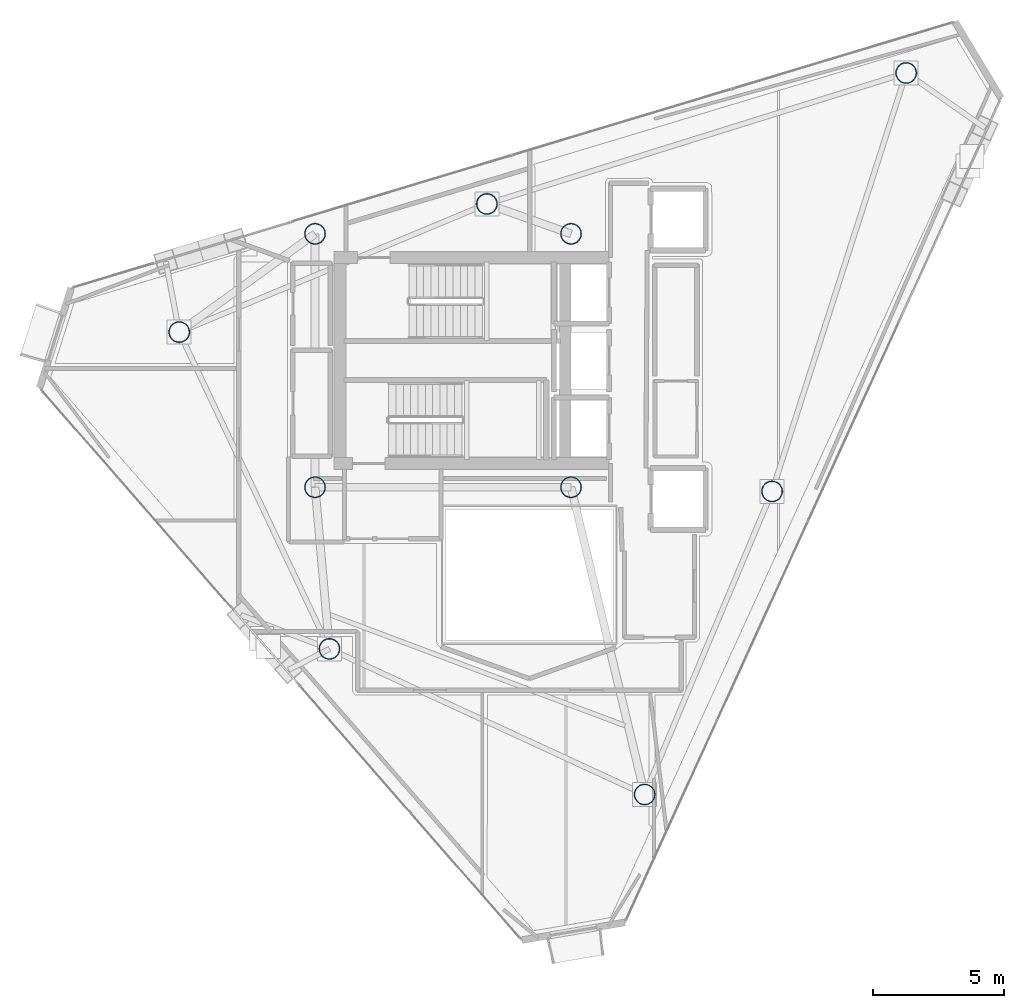
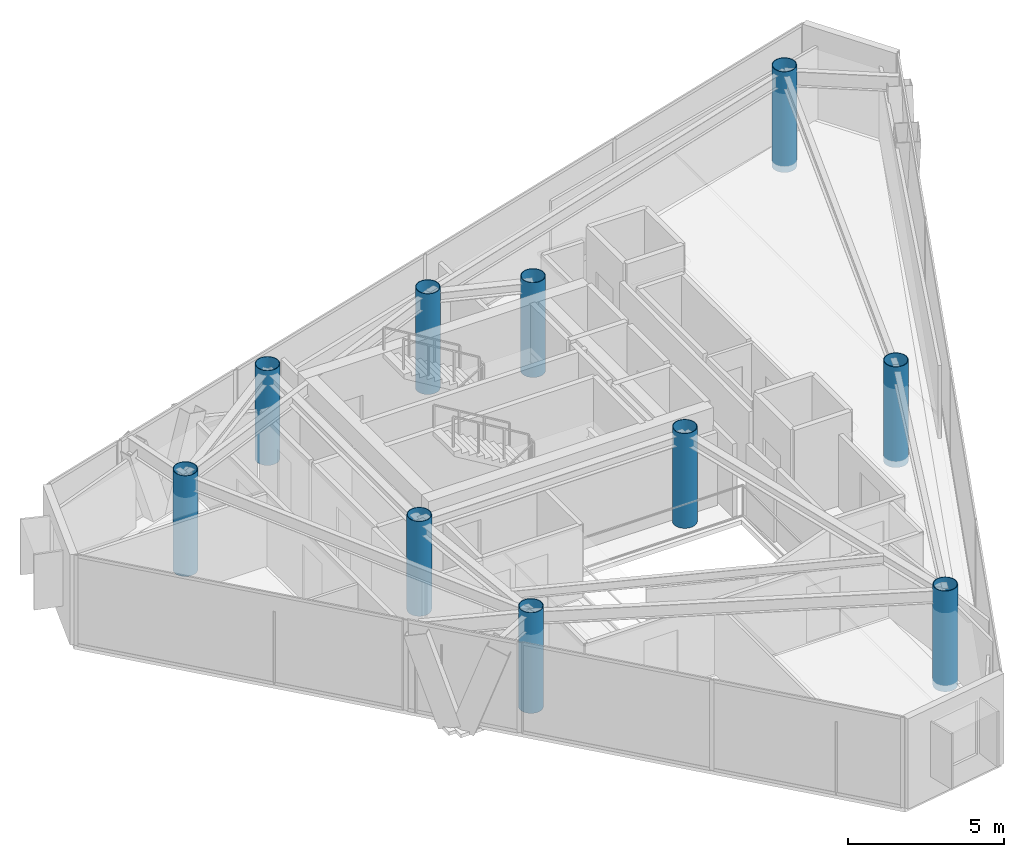
# One storey, part 1 of 19: 10 columns.
"""IFC4 building model written with IfcOpenShell, lengths in metres."""

from ifc_helpers import new_model, si_unit, direction, frame, origin, origin_2d, place, context, subcontext, project, spatial, hollow_circle, extrude, material, material_profile, profile_set, type_object, element, save


model = new_model("IFC4")

# Units and contexts
model_context = context("Model", 3, precision=1e-05, world=origin(), true_north=direction((0.0, 1.0)))
body_context = subcontext(model_context, "Body", "Model", "MODEL_VIEW")
ifc_project = project(units=[si_unit("LENGTHUNIT", "METRE"), si_unit("AREAUNIT", "SQUARE_METRE"), si_unit("VOLUMEUNIT", "CUBIC_METRE"), si_unit("PLANEANGLEUNIT", "RADIAN"), si_unit("MASSUNIT", "GRAM", prefix="KILO")], contexts=[model_context])

# Site, building, storey
site_placement = place(None, origin())
site = spatial("IfcSite", under=ifc_project, at=site_placement, CompositionType="ELEMENT")
building_placement = place(site_placement, origin())
building = spatial("IfcBuilding", under=site, at=building_placement, Name="Qianvela Tower", CompositionType="ELEMENT")
storey_placement = place(building_placement, frame((0.0, 0.0, 325.89990234375)))
storey = spatial("IfcBuildingStorey", under=building, at=storey_placement, Name="L84", CompositionType="ELEMENT", Elevation=325.89990234375)

# Columns
ifc_material = material(Name="Steel Q420GJC", Category="steel")
ifc_material_profile = material_profile(ifc_material, hollow_circle(Radius=0.39990234375, WallThickness=0.02197265625, at=origin_2d()), Name="CFT-800x22")
ifc_profile_set = profile_set([ifc_material_profile], Name="Steel Q420GJC")
column_type = type_object("IfcColumnType", Name="COL-CFT-800x22", PredefinedType="COLUMN", material=ifc_profile_set)
for number, where, z_axis, x_axis, name in (
    (1, (28.60009765625, 33.550048828125, 0.0), (0.0, 0.0, 1.0), (1.0, 0.0, 0.0), "L84 Core Corner Mega-Column CC-NW"),
    (2, (28.60009765625, 23.85009765625, 0.0), (0.0, 0.0, 1.0), (1.0, 0.0, 0.0), "L84 Core Corner Mega-Column CC-SW"),
    (3, (38.39990234375, 33.550048828125, 0.0), (0.0, 0.0, 1.0), (1.0, 0.0, 0.0), "L84 Core Corner Mega-Column CC-NE"),
    (4, (38.39990234375, 23.85009765625, 0.0), (0.0, 0.0, 1.0), (1.0, 0.0, 0.0), "L84 Core Corner Mega-Column CC-SE"),
):
    element("IfcColumn", number, at=place(storey_placement, frame(where, z_axis=z_axis, x_axis=x_axis)), inside=storey, type_object=column_type, Name=name, PredefinedType="COLUMN", context=body_context, shape_type="SweptSolid", body=[
        extrude(hollow_circle(Radius=0.39990234375, WallThickness=0.02197265625, at=origin_2d()), origin(), (0.0, 0.0, 1.0), 3.7001953125),
    ])
for number, where, z_axis, x_axis, name in (
    (5, (51.22705078125, 39.7080078125, -0.22998046875), (0.0, 0.0, 1.0), (1.0, 0.0, 0.0), "L84 Zone Z8 CFT Mega-Column C1"),
    (6, (35.177001953125, 34.695068359375, -0.22998046875), (0.0, 0.0, 1.0), (1.0, 0.0, 0.0), "L84 Zone Z8 CFT Mega-Column C2"),
    (7, (23.39990234375, 29.7890625, -0.22998046875), (0.0, 0.0, 1.0), (1.0, 0.0, 0.0), "L84 Zone Z8 CFT Mega-Column C3"),
    (8, (29.14990234375, 17.662109375, -0.22998046875), (0.0, 0.0, 1.0), (1.0, 0.0, 0.0), "L84 Zone Z8 CFT Mega-Column C4"),
    (9, (41.217041015625, 12.087890625, -0.22998046875), (0.0, 0.0, 1.0), (1.0, 0.0, 0.0), "L84 Zone Z8 CFT Mega-Column C5"),
    (10, (46.094970703125, 23.69091796875, -0.22998046875), (0.0, 0.0, 1.0), (1.0, 0.0, 0.0), "L84 Zone Z8 CFT Mega-Column C6"),
):
    element("IfcColumn", number, at=place(storey_placement, frame(where, z_axis=z_axis, x_axis=x_axis)), inside=storey, type_object=column_type, Name=name, PredefinedType="COLUMN", context=body_context, shape_type="SweptSolid", body=[
        extrude(hollow_circle(Radius=0.39990234375, WallThickness=0.02197265625, at=origin_2d()), origin(), (0.0, 0.0, 1.0), 3.93017578125),
    ])

save(model, "model.ifc")
